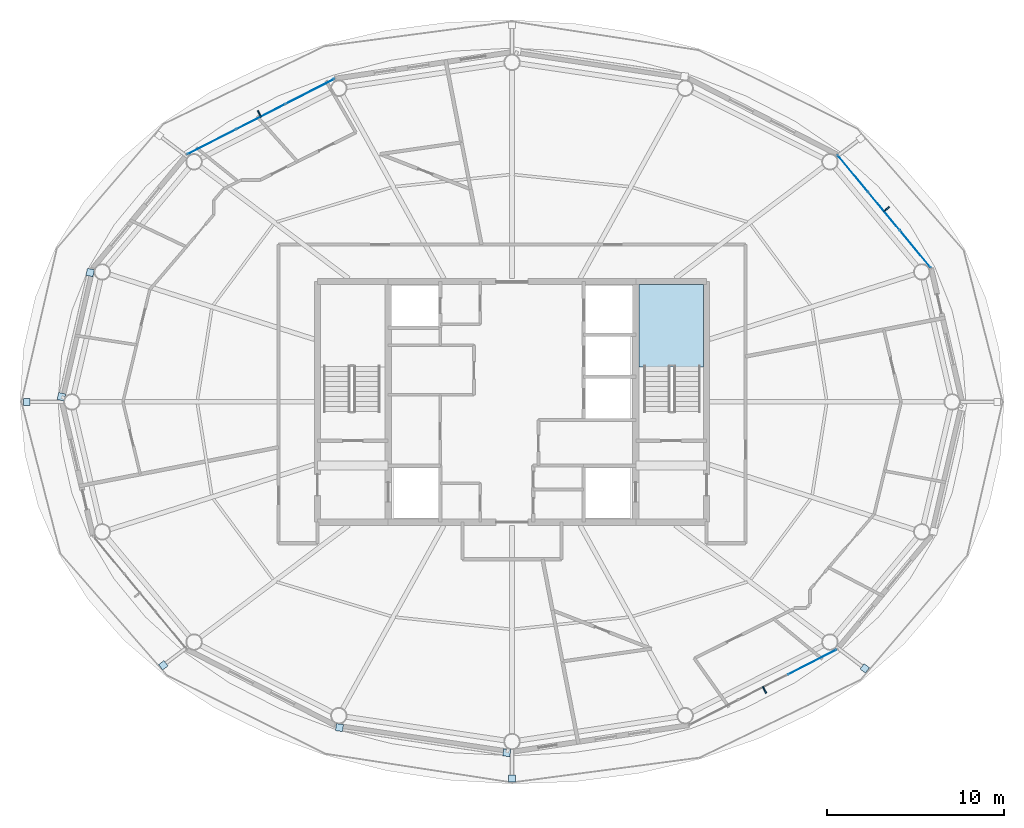
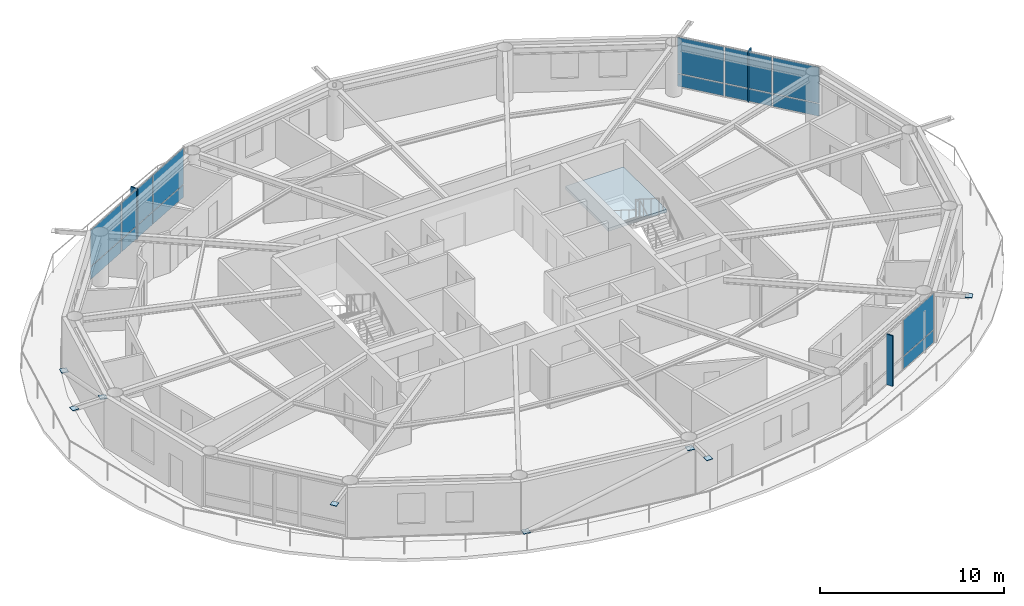
# One storey, part 14 of 21: 25 plates, 1 slab, 4 elements without a shape of their own.
"""IFC4 building model written with IfcOpenShell, lengths in metres."""

from ifc_helpers import new_model, si_unit, direction, frame, origin, origin_2d, place, context, subcontext, project, spatial, polyline, rectangle, outline, extrude, material, layer, layer_set, type_object, element, aggregate, save


model = new_model("IFC4")

# Units and contexts
model_context = context("Model", 3, precision=1e-05, world=origin(), true_north=direction((0.0, 1.0)))
body_context = subcontext(model_context, "Body", "Model", "MODEL_VIEW")
ifc_project = project(units=[si_unit("LENGTHUNIT", "METRE"), si_unit("AREAUNIT", "SQUARE_METRE"), si_unit("VOLUMEUNIT", "CUBIC_METRE"), si_unit("PLANEANGLEUNIT", "RADIAN"), si_unit("MASSUNIT", "GRAM", prefix="KILO")], contexts=[model_context])

# Site, building, storey
site_placement = place(None, origin())
site = spatial("IfcSite", under=ifc_project, at=site_placement, CompositionType="ELEMENT")
building_placement = place(site_placement, origin())
building = spatial("IfcBuilding", under=site, at=building_placement, Name="Sarneth Arch Tower", CompositionType="ELEMENT")
storey_placement = place(building_placement, frame((0.0, 0.0, 309.0)))
storey = spatial("IfcBuildingStorey", under=building, at=storey_placement, Name="L80", CompositionType="ELEMENT", Elevation=309.0)

# Curtain wall, plates
ifc_material_1 = material(Name="Anodised aluminium Type AA25 and solar-control low-e laminated IGU", Category="aluminium")
ifc_layer_1 = layer(ifc_material_1, 0.179931640625)
ifc_layer_set_1 = layer_set([ifc_layer_1], Name="Anodised aluminium Type AA25 and solar-control low-e laminated IGU")
curtain_wall_type = type_object("IfcCurtainWallType", Name="CW-RES-HIGH", PredefinedType="NOTDEFINED", material=ifc_layer_set_1)
curtain_wall_1_placement = place(storey_placement, origin())
curtain_wall_1 = element("IfcCurtainWall", 1, at=curtain_wall_1_placement, inside=storey, type_object=curtain_wall_type, Name="L80 Unitised curtain wall facet 02", PredefinedType="NOTDEFINED")
ifc_material_2 = material(Name="Solar-control low-e laminated IGU", Category="glass")
ifc_layer_2 = layer(ifc_material_2, 0.028076171875)
ifc_layer_set_2 = layer_set([ifc_layer_2], Name="Solar-control low-e laminated IGU")
plate_type_1 = type_object("IfcPlateType", Name="CW-PANEL", PredefinedType="CURTAIN_PANEL", material=ifc_layer_set_2)
plate_1_placement = place(storey_placement, frame((70.799072265625, 50.650634765625, 0.06005859375), z_axis=(0.0, 0.0, 1.0), x_axis=(-0.637610094184, 0.770359245933, 0.0)))
plate_1 = element("IfcPlate", 2, at=plate_1_placement, type_object=plate_type_1, Name="Curtain wall glazed vision pane CW-L80-F02/P00-00", PredefinedType="CURTAIN_PANEL", context=body_context, shape_type="SweptSolid", body=[
    extrude(rectangle(XDim=2.686767578125, YDim=0.028076171875, at=origin_2d()), origin(), (0.0, 0.0, 1.0), 0.81005859375),
])
plate_2_placement = place(storey_placement, frame((70.799072265625, 50.650634765625, 0.93017578125), z_axis=(0.0, 0.0, 1.0), x_axis=(-0.637610094184, 0.770359245933, 0.0)))
plate_2 = element("IfcPlate", 3, at=plate_2_placement, type_object=plate_type_1, Name="Curtain wall glazed vision pane CW-L80-F02/P00-01", PredefinedType="CURTAIN_PANEL", context=body_context, shape_type="SweptSolid", body=[
    extrude(rectangle(XDim=2.686767578125, YDim=0.028076171875, at=origin_2d()), origin(), (0.0, 0.0, 1.0), 2.3798828125),
])
plate_3_placement = place(storey_placement, frame((69.0380859375, 52.778076171875, 0.06005859375), z_axis=(0.0, 0.0, 1.0), x_axis=(-0.637610094184, 0.770359245933, 0.0)))
plate_3 = element("IfcPlate", 4, at=plate_3_placement, type_object=plate_type_1, Name="Curtain wall glazed vision pane CW-L80-F02/P01-00", PredefinedType="CURTAIN_PANEL", context=body_context, shape_type="SweptSolid", body=[
    extrude(rectangle(XDim=2.716552734375, YDim=0.028076171875, at=origin_2d()), origin(), (0.0, 0.0, 1.0), 0.81005859375),
])
plate_4_placement = place(storey_placement, frame((69.0380859375, 52.778076171875, 0.93017578125), z_axis=(0.0, 0.0, 1.0), x_axis=(-0.637610094184, 0.770359245933, 0.0)))
plate_4 = element("IfcPlate", 5, at=plate_4_placement, type_object=plate_type_1, Name="Curtain wall glazed vision pane CW-L80-F02/P01-01", PredefinedType="CURTAIN_PANEL", context=body_context, shape_type="SweptSolid", body=[
    extrude(rectangle(XDim=2.716552734375, YDim=0.028076171875, at=origin_2d()), origin(), (0.0, 0.0, 1.0), 2.3798828125),
])
plate_5_placement = place(storey_placement, frame((67.27734375, 54.905517578125, 0.06005859375), z_axis=(0.0, 0.0, 1.0), x_axis=(-0.637610094184, 0.770359245933, 0.0)))
plate_5 = element("IfcPlate", 6, at=plate_5_placement, type_object=plate_type_1, Name="Curtain wall glazed vision pane CW-L80-F02/P02-00", PredefinedType="CURTAIN_PANEL", context=body_context, shape_type="SweptSolid", body=[
    extrude(rectangle(XDim=2.686767578125, YDim=0.028076171875, at=origin_2d()), origin(), (0.0, 0.0, 1.0), 0.81005859375),
])
plate_6_placement = place(storey_placement, frame((67.27734375, 54.905517578125, 0.93017578125), z_axis=(0.0, 0.0, 1.0), x_axis=(-0.637610094184, 0.770359245933, 0.0)))
plate_6 = element("IfcPlate", 7, at=plate_6_placement, type_object=plate_type_1, Name="Curtain wall glazed vision pane CW-L80-F02/P02-01", PredefinedType="CURTAIN_PANEL", context=body_context, shape_type="SweptSolid", body=[
    extrude(rectangle(XDim=2.686767578125, YDim=0.028076171875, at=origin_2d()), origin(), (0.0, 0.0, 1.0), 2.3798828125),
])
aggregate(curtain_wall_1, [plate_1, plate_2, plate_3, plate_4, plate_5, plate_6])

curtain_wall_2_placement = place(storey_placement, origin())
curtain_wall_2 = element("IfcCurtainWall", 8, at=curtain_wall_2_placement, inside=storey, type_object=curtain_wall_type, Name="L80 Unitised curtain wall facet 06", PredefinedType="NOTDEFINED")
plate_7_placement = place(storey_placement, frame((36.5791015625, 59.552978515625, 0.06005859375), z_axis=(0.0, 0.0, 1.0), x_axis=(-0.890009540525, -0.455941901753, 0.0)))
plate_7 = element("IfcPlate", 9, at=plate_7_placement, type_object=plate_type_1, Name="Curtain wall glazed vision pane CW-L80-F06/P00-00", PredefinedType="CURTAIN_PANEL", context=body_context, shape_type="SweptSolid", body=[
    extrude(rectangle(XDim=3.044677734375, YDim=0.028076171875, at=origin_2d()), origin(), (0.0, 0.0, 1.0), 0.81005859375),
])
plate_8_placement = place(storey_placement, frame((36.5791015625, 59.552978515625, 0.93017578125), z_axis=(0.0, 0.0, 1.0), x_axis=(-0.890009540525, -0.455941901753, 0.0)))
plate_8 = element("IfcPlate", 10, at=plate_8_placement, type_object=plate_type_1, Name="Curtain wall glazed vision pane CW-L80-F06/P00-01", PredefinedType="CURTAIN_PANEL", context=body_context, shape_type="SweptSolid", body=[
    extrude(rectangle(XDim=3.044677734375, YDim=0.028076171875, at=origin_2d()), origin(), (0.0, 0.0, 1.0), 2.3798828125),
])
plate_9_placement = place(storey_placement, frame((33.802490234375, 58.13037109375, 0.06005859375), z_axis=(0.0, 0.0, 1.0), x_axis=(-0.890009540525, -0.455941901753, 0.0)))
plate_9 = element("IfcPlate", 11, at=plate_9_placement, type_object=plate_type_1, Name="Curtain wall glazed vision pane CW-L80-F06/P01-00", PredefinedType="CURTAIN_PANEL", context=body_context, shape_type="SweptSolid", body=[
    extrude(rectangle(XDim=3.07470703125, YDim=0.028076171875, at=origin_2d()), origin(), (0.0, 0.0, 1.0), 0.81005859375),
])
plate_10_placement = place(storey_placement, frame((33.802490234375, 58.13037109375, 0.93017578125), z_axis=(0.0, 0.0, 1.0), x_axis=(-0.890009540525, -0.455941901753, 0.0)))
plate_10 = element("IfcPlate", 12, at=plate_10_placement, type_object=plate_type_1, Name="Curtain wall glazed vision pane CW-L80-F06/P01-01", PredefinedType="CURTAIN_PANEL", context=body_context, shape_type="SweptSolid", body=[
    extrude(rectangle(XDim=3.07470703125, YDim=0.028076171875, at=origin_2d()), origin(), (0.0, 0.0, 1.0), 2.3798828125),
])
plate_11_placement = place(storey_placement, frame((31.02587890625, 56.7080078125, 0.06005859375), z_axis=(0.0, 0.0, 1.0), x_axis=(-0.890009540525, -0.455941901753, 0.0)))
plate_11 = element("IfcPlate", 13, at=plate_11_placement, type_object=plate_type_1, Name="Curtain wall glazed vision pane CW-L80-F06/P02-00", PredefinedType="CURTAIN_PANEL", context=body_context, shape_type="SweptSolid", body=[
    extrude(rectangle(XDim=3.044677734375, YDim=0.028076171875, at=origin_2d()), origin(), (0.0, 0.0, 1.0), 0.81005859375),
])
plate_12_placement = place(storey_placement, frame((31.02587890625, 56.7080078125, 0.93017578125), z_axis=(0.0, 0.0, 1.0), x_axis=(-0.890009540525, -0.455941901753, 0.0)))
plate_12 = element("IfcPlate", 14, at=plate_12_placement, type_object=plate_type_1, Name="Curtain wall glazed vision pane CW-L80-F06/P02-01", PredefinedType="CURTAIN_PANEL", context=body_context, shape_type="SweptSolid", body=[
    extrude(rectangle(XDim=3.044677734375, YDim=0.028076171875, at=origin_2d()), origin(), (0.0, 0.0, 1.0), 2.3798828125),
])
aggregate(curtain_wall_2, [plate_7, plate_8, plate_9, plate_10, plate_11, plate_12])

curtain_wall_3_placement = place(storey_placement, origin())
curtain_wall_3 = element("IfcCurtainWall", 15, at=curtain_wall_3_placement, inside=storey, type_object=curtain_wall_type, Name="L80 Unitised curtain wall facet 14", PredefinedType="NOTDEFINED")
plate_13_placement = place(storey_placement, frame((64.97412109375, 27.2919921875, 0.06005859375), z_axis=(0.0, 0.0, 1.0), x_axis=(0.890009540525, 0.455941901753, 0.0)))
plate_13 = element("IfcPlate", 16, at=plate_13_placement, type_object=plate_type_1, Name="Curtain wall glazed vision pane CW-L80-F14/P02-00", PredefinedType="CURTAIN_PANEL", context=body_context, shape_type="SweptSolid", body=[
    extrude(rectangle(XDim=3.044677734375, YDim=0.028076171875, at=origin_2d()), origin(), (0.0, 0.0, 1.0), 0.81005859375),
])
plate_14_placement = place(storey_placement, frame((64.97412109375, 27.2919921875, 0.93017578125), z_axis=(0.0, 0.0, 1.0), x_axis=(0.890009540525, 0.455941901753, 0.0)))
plate_14 = element("IfcPlate", 17, at=plate_14_placement, type_object=plate_type_1, Name="Curtain wall glazed vision pane CW-L80-F14/P02-01", PredefinedType="CURTAIN_PANEL", context=body_context, shape_type="SweptSolid", body=[
    extrude(rectangle(XDim=3.044677734375, YDim=0.028076171875, at=origin_2d()), origin(), (0.0, 0.0, 1.0), 2.3798828125),
])
aggregate(curtain_wall_3, [plate_13, plate_14])

# Plates
ifc_material_3 = material(Name="Steel S355", Category="steel")
ifc_layer_3 = layer(ifc_material_3, 0.035888671875)
ifc_layer_set_3 = layer_set([ifc_layer_3], Name="Steel S355")
plate_type_2 = type_object("IfcPlateType", Name="PLT-GUSSET-30", PredefinedType="SHEET", material=ifc_layer_set_3)
for number, where, z_axis, x_axis, name in (
    (18, (24.148193359375, 49.3154296875, 0.001953125), (0.0, 0.0, 1.0), (-0.225461202458, -0.974252147129, 0.0), "Steel end cap plate GP-1"),
    (19, (22.5234375, 42.292236328125, 3.07421875), (0.0, 0.0, 1.0), (-0.225461202458, -0.974252147129, 0.0), "Steel end cap plate GP-1"),
):
    element("IfcPlate", number, at=place(storey_placement, frame(where, z_axis=z_axis, x_axis=x_axis)), inside=storey, type_object=plate_type_2, Name=name, PredefinedType="SHEET", context=body_context, shape_type="SweptSolid", body=[
        extrude(rectangle(XDim=0.404052734375, YDim=0.404052734375, at=origin_2d()), origin(), (0.0, 0.0, 1.0), 0.035888671875),
    ])
for number, where, z_axis, x_axis, name in (
    (20, (20.55859375, 42.0, 3.19189453125), (0.0, 0.0, 1.0), (-1.0, 0.0, 0.0), "Steel end cap plate GP-1"),
    (21, (28.285888671875, 27.110107421875, 3.19189453125), (0.0, 0.0, 1.0), (-0.798004853043, -0.602651022168, 0.0), "Steel end cap plate GP-1"),
):
    element("IfcPlate", number, at=place(storey_placement, frame(where, z_axis=z_axis, x_axis=x_axis)), inside=storey, type_object=plate_type_2, Name=name, PredefinedType="SHEET", context=body_context, shape_type="SweptSolid", body=[
        extrude(rectangle(XDim=0.3798828125, YDim=0.3798828125, at=origin_2d()), origin(), (0.0, 0.0, 1.0), 0.035888671875),
    ])
for number, where, z_axis, x_axis, name in (
    (22, (38.245849609375, 23.588623046875, 0.001953125), (0.0, 0.0, 1.0), (0.988860535448, -0.148845024885, 0.0), "Steel end cap plate GP-1"),
    (23, (47.703369140625, 22.16455078125, 3.07421875), (0.0, 0.0, 1.0), (0.988860535448, -0.148845024885, 0.0), "Steel end cap plate GP-1"),
):
    element("IfcPlate", number, at=place(storey_placement, frame(where, z_axis=z_axis, x_axis=x_axis)), inside=storey, type_object=plate_type_2, Name=name, PredefinedType="SHEET", context=body_context, shape_type="SweptSolid", body=[
        extrude(rectangle(XDim=0.404052734375, YDim=0.404052734375, at=origin_2d()), origin(), (0.0, 0.0, 1.0), 0.035888671875),
    ])
for number, where, z_axis, x_axis, name in (
    (24, (48.0, 20.708251953125, 3.19189453125), (0.0, 0.0, 1.0), (0.0, -1.0, 0.0), "Steel end cap plate GP-1"),
    (25, (67.94677734375, 26.9345703125, 3.19189453125), (0.0, 0.0, 1.0), (0.798004853043, -0.602651022168, 0.0), "Steel end cap plate GP-1"),
):
    element("IfcPlate", number, at=place(storey_placement, frame(where, z_axis=z_axis, x_axis=x_axis)), inside=storey, type_object=plate_type_2, Name=name, PredefinedType="SHEET", context=body_context, shape_type="SweptSolid", body=[
        extrude(rectangle(XDim=0.3798828125, YDim=0.3798828125, at=origin_2d()), origin(), (0.0, 0.0, 1.0), 0.035888671875),
    ])
ifc_material_4 = material(Name="Extruded glazed terracotta baguette fin on Aluminium 6063-T6 carrier", Category="masonry")
ifc_layer_4 = layer(ifc_material_4, 0.080078125)
ifc_layer_set_4 = layer_set([ifc_layer_4], Name="Extruded glazed terracotta baguette fin on Aluminium 6063-T6 carrier")
plate_type_3 = type_object("IfcPlateType", Name="SHADE-TERRA-FIN", PredefinedType="SHEET", material=ifc_layer_set_4)
for number, where, z_axis, x_axis, name in (
    (26, (69.169189453125, 52.886474609375, 0.010009765625), (0.0, 0.0, 1.0), (0.770401979567, 0.63755845997, 0.0), "L80 Terracotta vertical shading fin 02"),
    (27, (33.724853515625, 58.28173828125, 0.010009765625), (0.0, 0.0, 1.0), (-0.456010959102, 0.889974159838, 0.0), "L80 Terracotta vertical shading fin 06"),
    (28, (62.275146484375, 25.71826171875, 0.010009765625), (0.0, 0.0, 1.0), (0.456010959102, -0.889974159838, 0.0), "L80 Terracotta vertical shading fin 14"),
):
    element("IfcPlate", number, at=place(storey_placement, frame(where, z_axis=z_axis, x_axis=x_axis)), inside=storey, type_object=plate_type_3, Name=name, PredefinedType="SHEET", context=body_context, shape_type="SweptSolid", body=[
        extrude(rectangle(XDim=0.419921875, YDim=0.080078125, at=origin_2d()), origin(), (0.0, 0.0, 1.0), 3.35009765625),
    ])

# Stair, slab
ifc_material_5 = material(Name="Concrete C50/60", Category="concrete")
stair_type = type_object("IfcStairType", Name="STAIR-CORE-RC", PredefinedType="HALF_TURN_STAIR", material=ifc_material_5)
stair_placement = place(storey_placement, origin())
stair = element("IfcStair", 29, at=stair_placement, inside=storey, type_object=stair_type, Name="L80 Core Exit Stair 2", PredefinedType="HALF_TURN_STAIR")
ifc_material_6 = material(Name="Concrete C50/60", Category="concrete")
ifc_layer_5 = layer(ifc_material_6, 0.199951171875)
ifc_layer_set_5 = layer_set([ifc_layer_5], Name="Concrete C50/60")
slab_type = type_object("IfcSlabType", Name="SLAB-LANDING-200", PredefinedType="LANDING", material=ifc_layer_set_5)
slab_placement = place(storey_placement, frame((0.0, 0.0, 1.60009765625)))
slab = element("IfcSlab", 30, at=slab_placement, type_object=slab_type, Name="ST-2 landing 1", PredefinedType="LANDING", context=body_context, shape_type="SweptSolid", body=[
    extrude(outline(polyline([(55.175048828125, 43.985107421875), (58.824951171875, 43.985107421875), (58.824951171875, 48.625), (55.175048828125, 48.625), (55.175048828125, 43.985107421875)])), origin(), (0.0, 0.0, 1.0), 0.199951171875),
])
aggregate(stair, [slab])

save(model, "model.ifc")
